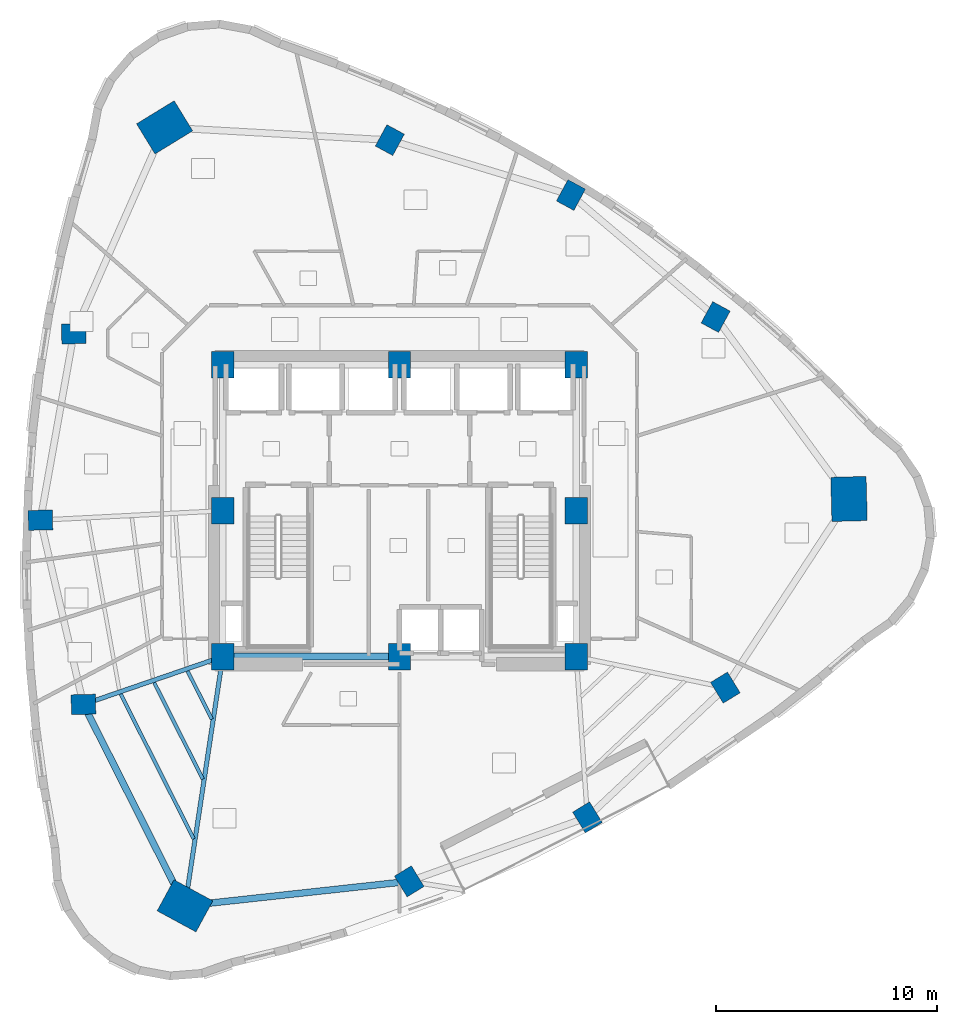
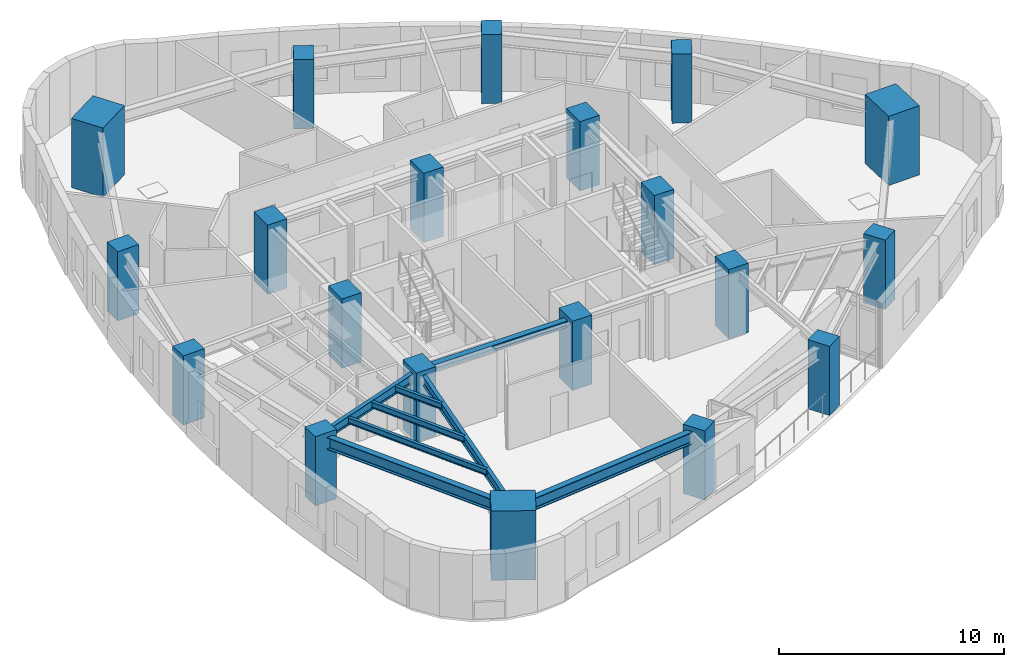
# One storey, part 1 of 11: 20 columns, 8 beams.
"""IFC4 building model written with IfcOpenShell, lengths in metres."""

from ifc_helpers import new_model, si_unit, direction, frame, origin, origin_2d, place, context, subcontext, project, spatial, rectangle, i_section, extrude, material, material_profile, profile_set, type_object, element, save


model = new_model("IFC4")

# Units and contexts
model_context = context("Model", 3, precision=1e-05, world=origin(), true_north=direction((0.0, 1.0)))
body_context = subcontext(model_context, "Body", "Model", "MODEL_VIEW")
ifc_project = project(units=[si_unit("LENGTHUNIT", "METRE"), si_unit("AREAUNIT", "SQUARE_METRE"), si_unit("VOLUMEUNIT", "CUBIC_METRE"), si_unit("PLANEANGLEUNIT", "RADIAN"), si_unit("MASSUNIT", "GRAM", prefix="KILO")], contexts=[model_context])

# Site, building, storey
site_placement = place(None, origin())
site = spatial("IfcSite", under=ifc_project, at=site_placement, CompositionType="ELEMENT")
building_placement = place(site_placement, origin())
building = spatial("IfcBuilding", under=site, at=building_placement, Name="Ndelora Gate Hotel", CompositionType="ELEMENT")
storey_placement = place(building_placement, frame((0.0, 0.0, 108.5)))
storey = spatial("IfcBuildingStorey", under=building, at=storey_placement, Name="L26", CompositionType="ELEMENT", Elevation=108.5)

# Columns
ifc_material_1 = material(Name="Concrete C60/75", Category="concrete")
ifc_material_profile_1 = material_profile(ifc_material_1, rectangle(XDim=1.0, YDim=1.199951171875, at=origin_2d()), Name="RC 1200x1000")
ifc_profile_set_1 = profile_set([ifc_material_profile_1], Name="Concrete C60/75")
column_type_1 = type_object("IfcColumnType", Name="COL-CC-MID", PredefinedType="COLUMN", material=ifc_profile_set_1)
for number, where, z_axis, x_axis, name in (
    (1, (-8.0, -6.60009765625, 0.0), (0.0, 0.0, 1.0), (1.0, 0.0, 0.0), "L26 Core Column CC1"),
    (2, (0.0, -6.60009765625, 0.0), (0.0, 0.0, 1.0), (1.0, 0.0, 0.0), "L26 Core Column CC2"),
    (3, (8.0, -6.60009765625, 0.0), (0.0, 0.0, 1.0), (1.0, 0.0, 0.0), "L26 Core Column CC3"),
    (4, (8.0, 0.0, 0.0), (0.0, 0.0, 1.0), (1.0, 0.0, 0.0), "L26 Core Column CC4"),
    (5, (8.0, 6.60009765625, 0.0), (0.0, 0.0, 1.0), (1.0, 0.0, 0.0), "L26 Core Column CC5"),
    (6, (0.0, 6.60009765625, 0.0), (0.0, 0.0, 1.0), (1.0, 0.0, 0.0), "L26 Core Column CC6"),
    (7, (-8.0, 6.60009765625, 0.0), (0.0, 0.0, 1.0), (1.0, 0.0, 0.0), "L26 Core Column CC7"),
    (8, (-8.0, 0.0, 0.0), (0.0, 0.0, 1.0), (1.0, 0.0, 0.0), "L26 Core Column CC8"),
):
    element("IfcColumn", number, at=place(storey_placement, frame(where, z_axis=z_axis, x_axis=x_axis)), inside=storey, type_object=column_type_1, Name=name, PredefinedType="COLUMN", context=body_context, shape_type="SweptSolid", body=[
        extrude(rectangle(XDim=1.0, YDim=1.199951171875, at=origin_2d()), origin(), (0.0, 0.0, 1.0), 3.75),
    ])
ifc_material_profile_2 = material_profile(ifc_material_1, rectangle(XDim=1.60009765625, YDim=2.0, at=origin_2d()), Name="RC 2000x1600")
ifc_profile_set_2 = profile_set([ifc_material_profile_2], Name="Concrete C60/75")
column_type_2 = type_object("IfcColumnType", Name="COL-MC-Z2", PredefinedType="COLUMN", material=ifc_profile_set_2)
for number, where, z_axis, x_axis, name in (
    (9, (-10.63330078125, 17.351806640625, 0.0), (0.0, 0.0, 1.0), (-0.522498564716, 0.852640164354, 0.0), "L26 Corner Mega-Column R1"),
    (10, (-9.71044921875, -17.884521484375, 0.0), (0.0, 0.0, 1.0), (0.47715876026, 0.878817112662, 0.0), "L26 Corner Mega-Column R5"),
    (11, (20.34375, 0.53271484375, 0.0), (0.0, 0.0, 1.0), (0.999657324976, 0.026176948308, 0.0), "L26 Corner Mega-Column R9"),
):
    element("IfcColumn", number, at=place(storey_placement, frame(where, z_axis=z_axis, x_axis=x_axis)), inside=storey, type_object=column_type_2, Name=name, PredefinedType="COLUMN", context=body_context, shape_type="SweptSolid", body=[
        extrude(rectangle(XDim=1.60009765625, YDim=2.0, at=origin_2d()), origin(), (0.0, 0.0, 1.0), 3.75),
    ])
ifc_material_profile_3 = material_profile(ifc_material_1, rectangle(XDim=0.89990234375, YDim=1.10009765625, at=origin_2d()), Name="RC 1100x900")
ifc_profile_set_3 = profile_set([ifc_material_profile_3], Name="Concrete C60/75")
column_type_3 = type_object("IfcColumnType", Name="COL-PT-Z2", PredefinedType="COLUMN", material=ifc_profile_set_3)
for number, where, z_axis, x_axis, name in (
    (12, (-14.74658203125, 8.006591796875, 0.0), (0.0, 0.0, 1.0), (-0.026176948308, 0.999657324976, 0.0), "L26 Perimeter Tube Column R2"),
    (13, (-16.25537109375, -0.42578125, 0.0), (0.0, 0.0, 1.0), (-0.026176948308, 0.999657324976, 0.0), "L26 Perimeter Tube Column R3"),
    (14, (-14.307373046875, -8.767578125, 0.0), (0.0, 0.0, 1.0), (-0.026176948308, 0.999657324976, 0.0), "L26 Perimeter Tube Column R4"),
    (15, (0.439208984375, -16.7744140625, 0.0), (0.0, 0.0, 1.0), (0.852640164354, 0.522498564716, 0.0), "L26 Perimeter Tube Column R6"),
    (16, (8.50439453125, -13.878173828125, 0.0), (0.0, 0.0, 1.0), (0.852640164354, 0.522498564716, 0.0), "L26 Perimeter Tube Column R7"),
    (17, (14.74658203125, -8.006591796875, 0.0), (0.0, 0.0, 1.0), (0.852640164354, 0.522498564716, 0.0), "L26 Perimeter Tube Column R8"),
    (18, (14.30712890625, 8.767333984375, 0.0), (0.0, 0.0, 1.0), (-0.878817112662, 0.47715876026, 0.0), "L26 Perimeter Tube Column R10"),
    (19, (7.759033203125, 14.290283203125, 0.0), (0.0, 0.0, 1.0), (-0.878817112662, 0.47715876026, 0.0), "L26 Perimeter Tube Column R11"),
    (20, (-0.439208984375, 16.7744140625, 0.0), (0.0, 0.0, 1.0), (-0.878817112662, 0.47715876026, 0.0), "L26 Perimeter Tube Column R12"),
):
    element("IfcColumn", number, at=place(storey_placement, frame(where, z_axis=z_axis, x_axis=x_axis)), inside=storey, type_object=column_type_3, Name=name, PredefinedType="COLUMN", context=body_context, shape_type="SweptSolid", body=[
        extrude(rectangle(XDim=0.89990234375, YDim=1.10009765625, at=origin_2d()), origin(), (0.0, 0.0, 1.0), 3.75),
    ])

# Beams
ifc_material_2 = material(Name="Steel S355", Category="steel")
ifc_material_profile_4 = material_profile(ifc_material_2, i_section(OverallWidth=0.300048828125, OverallDepth=0.360107421875, WebThickness=0.012451171875, FlangeThickness=0.0224609375, FilletRadius=0.027099609375, at=origin_2d()), Name="HEB 360")
ifc_profile_set_4 = profile_set([ifc_material_profile_4], Name="Steel S355")
beam_type_1 = type_object("IfcBeamType", Name="BM-CORE-360", PredefinedType="BEAM", material=ifc_profile_set_4)
beam_1_placement = place(storey_placement, frame((-8.0, -6.60009765625, 3.320068359375), z_axis=(1.0, 0.0, 0.0), x_axis=(0.0, 1.0, 0.0)))
element("IfcBeam", 21, at=beam_1_placement, inside=storey, type_object=beam_type_1, Name="L26 Core Tie Girder CC1-CC2", PredefinedType="BEAM", context=body_context, shape_type="SweptSolid", body=[
    extrude(i_section(OverallWidth=0.300048828125, OverallDepth=0.360107421875, WebThickness=0.012451171875, FlangeThickness=0.0224609375, FilletRadius=0.027099609375, at=origin_2d()), origin(), (0.0, 0.0, 1.0), 8.0),
])
ifc_material_profile_5 = material_profile(ifc_material_2, i_section(OverallWidth=0.159912109375, OverallDepth=0.330078125, WebThickness=0.007568359375, FlangeThickness=0.011474609375, FilletRadius=0.01806640625, at=origin_2d()), Name="IPE 330")
ifc_profile_set_5 = profile_set([ifc_material_profile_5], Name="Steel S355")
beam_type_2 = type_object("IfcBeamType", Name="BM-JST-330", PredefinedType="JOIST", material=ifc_profile_set_5)
beam_2_placement = place(storey_placement, frame((-9.59033203125, -7.26171875, 3.3349609375), z_axis=(0.450139260243, -0.892958367668, 0.0), x_axis=(0.892958367668, 0.450139260243, 0.0)))
element("IfcBeam", 22, at=beam_2_placement, inside=storey, type_object=beam_type_2, Name="L26 Secondary Composite Floor Joist IN-4", PredefinedType="JOIST", context=body_context, shape_type="SweptSolid", body=[
    extrude(i_section(OverallWidth=0.159912109375, OverallDepth=0.330078125, WebThickness=0.007568359375, FlangeThickness=0.011474609375, FilletRadius=0.01806640625, at=origin_2d()), origin(), (0.0, 0.0, 1.0), 2.4345703125),
])
beam_3_placement = place(storey_placement, frame((-11.10400390625, -7.781982421875, 3.3349609375), z_axis=(0.450189724408, -0.892932926953, 0.0), x_axis=(0.892932926953, 0.450189724408, 0.0)))
element("IfcBeam", 23, at=beam_3_placement, inside=storey, type_object=beam_type_2, Name="L26 Secondary Composite Floor Joist MID-4", PredefinedType="JOIST", context=body_context, shape_type="SweptSolid", body=[
    extrude(i_section(OverallWidth=0.159912109375, OverallDepth=0.330078125, WebThickness=0.007568359375, FlangeThickness=0.011474609375, FilletRadius=0.01806640625, at=origin_2d()), origin(), (0.0, 0.0, 1.0), 4.885009765625),
])
beam_4_placement = place(storey_placement, frame((-12.617919921875, -8.30224609375, 3.3349609375), z_axis=(0.45023300903, -0.892911102843, 0.0), x_axis=(0.892911102843, 0.45023300903, 0.0)))
element("IfcBeam", 24, at=beam_4_placement, inside=storey, type_object=beam_type_2, Name="L26 Secondary Composite Floor Joist OUT-4", PredefinedType="JOIST", context=body_context, shape_type="SweptSolid", body=[
    extrude(i_section(OverallWidth=0.159912109375, OverallDepth=0.330078125, WebThickness=0.007568359375, FlangeThickness=0.011474609375, FilletRadius=0.01806640625, at=origin_2d()), origin(), (0.0, 0.0, 1.0), 7.335693359375),
])
ifc_material_profile_6 = material_profile(ifc_material_2, i_section(OverallWidth=0.199951171875, OverallDepth=0.5, WebThickness=0.01025390625, FlangeThickness=0.01611328125, FilletRadius=0.02099609375, at=origin_2d()), Name="IPE 500")
ifc_profile_set_6 = profile_set([ifc_material_profile_6], Name="Steel S355")
beam_type_3 = type_object("IfcBeamType", Name="BM-RAD-500", PredefinedType="BEAM", material=ifc_profile_set_6)
beam_5_placement = place(storey_placement, frame((-8.0, -6.60009765625, 3.25), z_axis=(-0.945717893913, -0.324988715392, 0.0), x_axis=(0.324988715392, -0.945717893913, 0.0)))
element("IfcBeam", 25, at=beam_5_placement, inside=storey, type_object=beam_type_3, Name="L26 Radial Floor Girder 4", PredefinedType="BEAM", context=body_context, shape_type="SweptSolid", body=[
    extrude(i_section(OverallWidth=0.199951171875, OverallDepth=0.5, WebThickness=0.01025390625, FlangeThickness=0.01611328125, FilletRadius=0.02099609375, at=origin_2d()), origin(), (0.0, 0.0, 1.0), 6.66943359375),
])
beam_6_placement = place(storey_placement, frame((-8.0, -6.60009765625, 3.25), z_axis=(-0.149864309615, -0.988706573612, 0.0), x_axis=(0.988706573612, -0.149864309615, 0.0)))
element("IfcBeam", 26, at=beam_6_placement, inside=storey, type_object=beam_type_3, Name="L26 Radial Floor Girder 5", PredefinedType="BEAM", context=body_context, shape_type="SweptSolid", body=[
    extrude(i_section(OverallWidth=0.199951171875, OverallDepth=0.5, WebThickness=0.01025390625, FlangeThickness=0.01611328125, FilletRadius=0.02099609375, at=origin_2d()), origin(), (0.0, 0.0, 1.0), 11.413330078125),
])
ifc_material_profile_7 = material_profile(ifc_material_2, i_section(OverallWidth=0.300048828125, OverallDepth=0.64990234375, WebThickness=0.01611328125, FlangeThickness=0.031005859375, FilletRadius=0.027099609375, at=origin_2d()), Name="HEB 650")
ifc_profile_set_7 = profile_set([ifc_material_profile_7], Name="Steel S355")
beam_type_4 = type_object("IfcBeamType", Name="BM-RING-650", PredefinedType="SPANDREL", material=ifc_profile_set_7)
for number, where, z_axis, x_axis, name in (
    (27, (-14.307373046875, -8.767578125, 3.175048828125), (0.450223868811, -0.892915711561, 0.0), (0.892915711561, 0.450223868811, 0.0), "L26 Perimeter Spandrel Girder 4"),
    (28, (-9.71044921875, -17.884521484375, 3.175048828125), (0.994071812898, 0.108725483685, 0.0), (-0.108725483685, 0.994071812898, 0.0), "L26 Perimeter Spandrel Girder 5"),
):
    element("IfcBeam", number, at=place(storey_placement, frame(where, z_axis=z_axis, x_axis=x_axis)), inside=storey, type_object=beam_type_4, Name=name, PredefinedType="SPANDREL", context=body_context, shape_type="SweptSolid", body=[
        extrude(i_section(OverallWidth=0.300048828125, OverallDepth=0.64990234375, WebThickness=0.01611328125, FlangeThickness=0.031005859375, FilletRadius=0.027099609375, at=origin_2d()), origin(), (0.0, 0.0, 1.0), 10.210205078125),
    ])

save(model, "model.ifc")
